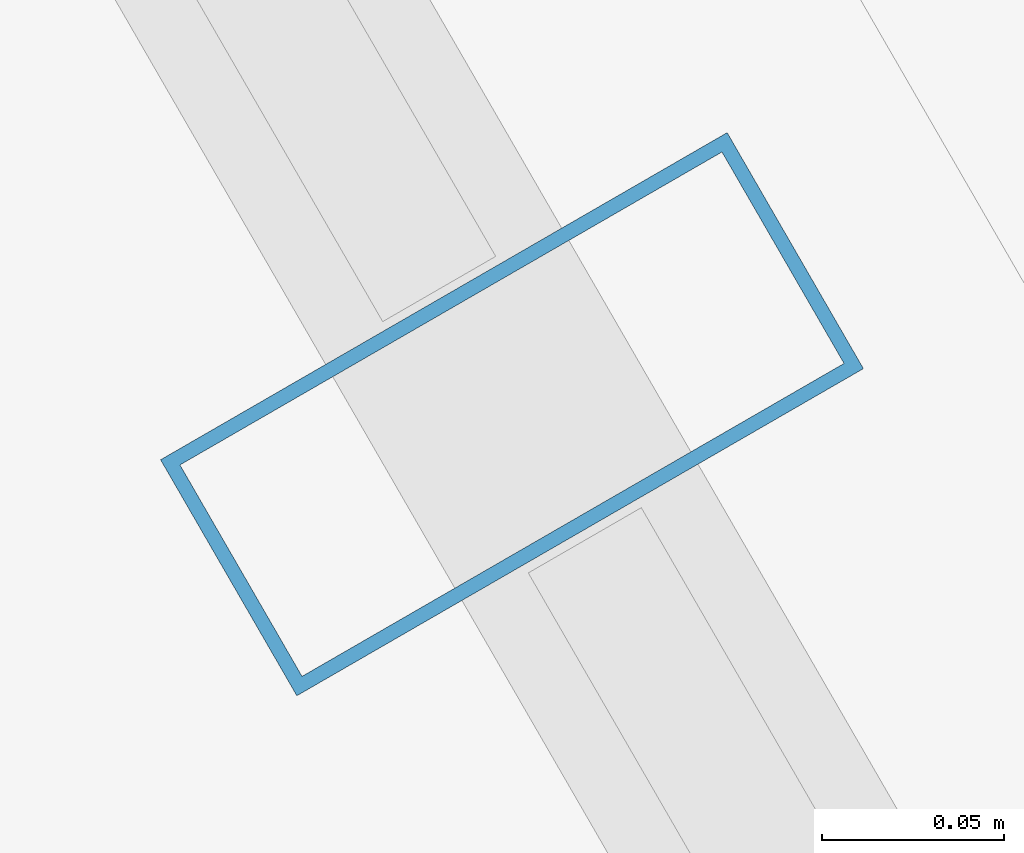
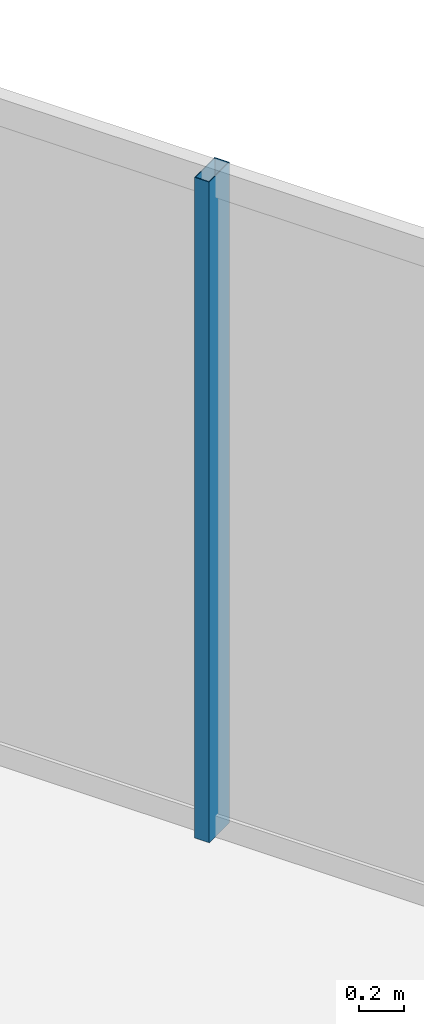
# One storey, part 21 of 35: 1 member, 1 element without a shape of its own.
"""IFC4 building model written with IfcOpenShell, lengths in metres."""

from ifc_helpers import new_model, si_unit, direction, frame, origin, origin_2d, place, context, subcontext, project, spatial, hollow_rectangle, extrude, material, layer, layer_set, material_profile, profile_set, type_object, element, aggregate, save


model = new_model("IFC4")

# Units and contexts
model_context = context("Model", 3, precision=1e-05, world=origin(), true_north=direction((0.0, 1.0)))
body_context = subcontext(model_context, "Body", "Model", "MODEL_VIEW")
ifc_project = project(units=[si_unit("LENGTHUNIT", "METRE"), si_unit("AREAUNIT", "SQUARE_METRE"), si_unit("VOLUMEUNIT", "CUBIC_METRE"), si_unit("PLANEANGLEUNIT", "RADIAN"), si_unit("MASSUNIT", "GRAM", prefix="KILO")], contexts=[model_context])

# Site, building, storey
site_placement = place(None, origin())
site = spatial("IfcSite", under=ifc_project, at=site_placement, CompositionType="ELEMENT")
building_placement = place(site_placement, origin())
building = spatial("IfcBuilding", under=site, at=building_placement, Name="Ndaravel Arena Tower", CompositionType="ELEMENT")
storey_placement = place(building_placement, frame((0.0, 0.0, 271.199951171875)))
storey = spatial("IfcBuildingStorey", under=building, at=storey_placement, Name="L66", CompositionType="ELEMENT", Elevation=271.199951171875)

# Curtain wall, member
ifc_material_1 = material(Name="Aluminium", Category="aluminium")
ifc_layer = layer(ifc_material_1, 0.179931640625)
ifc_layer_set = layer_set([ifc_layer], Name="Aluminium")
curtain_wall_type = type_object("IfcCurtainWallType", Name="CW-SYS-03", PredefinedType="NOTDEFINED", material=ifc_layer_set)
curtain_wall_placement = place(storey_placement, origin())
curtain_wall = element("IfcCurtainWall", 1, at=curtain_wall_placement, inside=storey, type_object=curtain_wall_type, Name="L66 Faceted Crystal Curtain Wall CW-L66-E03", PredefinedType="NOTDEFINED")
ifc_material_2 = material(Name="Aluminium", Category="aluminium")
ifc_material_profile = material_profile(ifc_material_2, hollow_rectangle(XDim=0.074951171875, YDim=0.179931640625, WallThickness=0.00390625, at=origin_2d()), Name="CW MULLION 75x180x4")
ifc_profile_set = profile_set([ifc_material_profile], Name="Aluminium")
member_type = type_object("IfcMemberType", Name="MEM-CW-MUL180", PredefinedType="MULLION", material=ifc_profile_set)
member_placement = place(storey_placement, frame((48.980224609375, 36.455810546875, 0.0), z_axis=(0.0, 0.0, 1.0), x_axis=(-0.5, 0.866025403784, 0.0)))
member = element("IfcMember", 2, at=member_placement, type_object=member_type, Name="CW-L66-E03 Mullion 07", PredefinedType="MULLION", context=body_context, shape_type="SweptSolid", body=[
    extrude(hollow_rectangle(XDim=0.074951171875, YDim=0.179931640625, WallThickness=0.00390625, at=origin_2d()), origin(), (0.0, 0.0, 1.0), 3.580078125),
])
aggregate(curtain_wall, [member])

save(model, "model.ifc")
